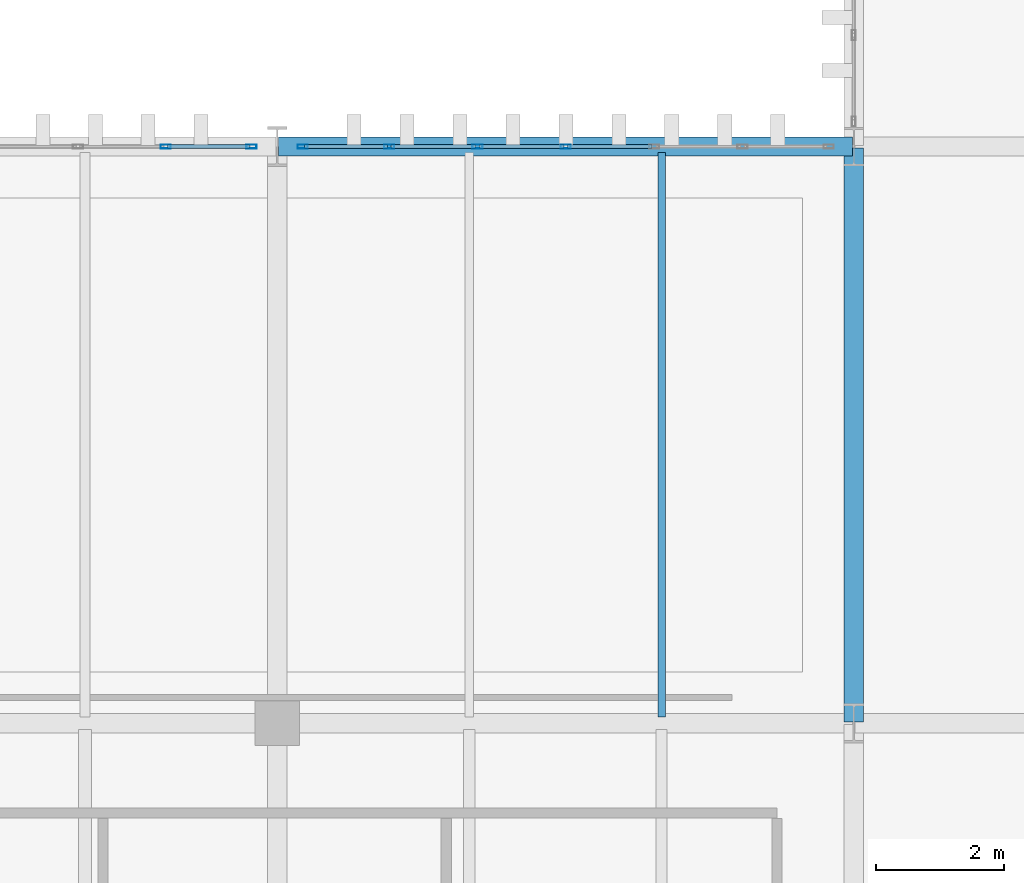
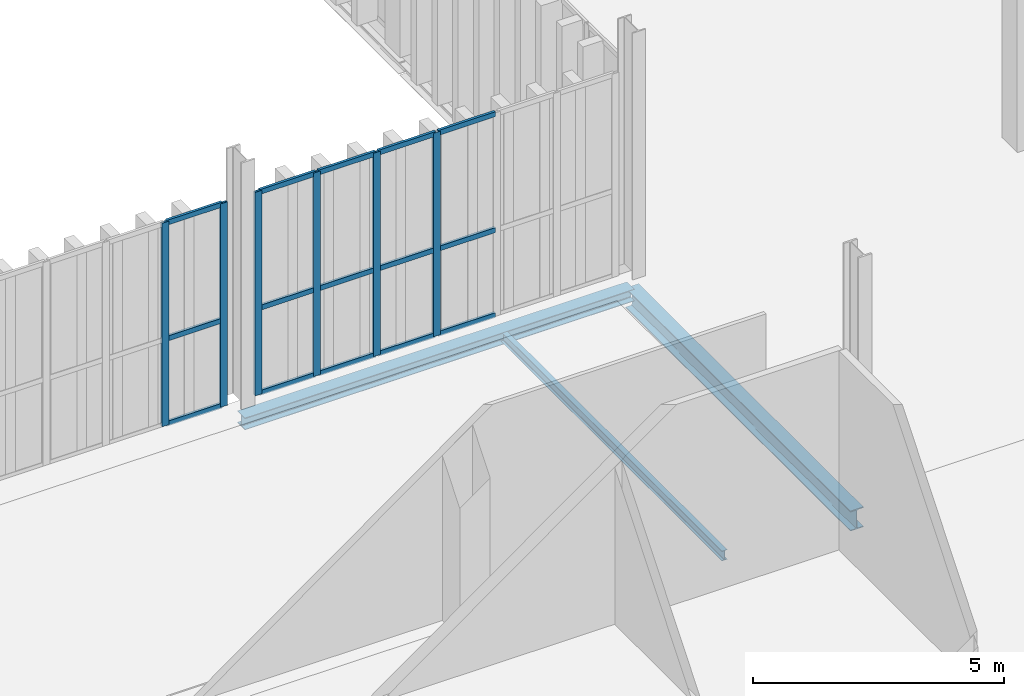
# One storey, part 98 of 211: 21 members, 3 beams, 2 elements without a shape of their own.
"""IFC4 building model written with IfcOpenShell, lengths in metres."""

from ifc_helpers import new_model, si_unit, direction, frame, origin, origin_2d, place, context, subcontext, project, spatial, hollow_rectangle, i_section, extrude, material, layer, layer_set, material_profile, profile_set, type_object, element, aggregate, save


model = new_model("IFC4")

# Units and contexts
model_context = context("Model", 3, precision=1e-05, world=origin(), true_north=direction((0.0, 1.0)))
body_context = subcontext(model_context, "Body", "Model", "MODEL_VIEW")
ifc_project = project(units=[si_unit("LENGTHUNIT", "METRE"), si_unit("AREAUNIT", "SQUARE_METRE"), si_unit("VOLUMEUNIT", "CUBIC_METRE"), si_unit("PLANEANGLEUNIT", "RADIAN"), si_unit("MASSUNIT", "GRAM", prefix="KILO")], contexts=[model_context])

# Site, building, storey
site_placement = place(None, origin())
site = spatial("IfcSite", under=ifc_project, at=site_placement, CompositionType="ELEMENT")
building_placement = place(site_placement, origin())
building = spatial("IfcBuilding", under=site, at=building_placement, Name="Barlavento Convention Centre", CompositionType="ELEMENT")
storey_placement = place(building_placement, frame((0.0, 0.0, 6.0)))
storey = spatial("IfcBuildingStorey", under=building, at=storey_placement, Name="L01", CompositionType="ELEMENT", Elevation=6.0)

# Curtain wall, members
ifc_material_1 = material(Name="Powder-coated aluminium and Low-E glass", Category="aluminium")
ifc_layer = layer(ifc_material_1, 0.195068359375)
ifc_layer_set = layer_set([ifc_layer], Name="ARC-CW-PATIO-A")
curtain_wall_type = type_object("IfcCurtainWallType", Name="ARC-CW-PATIO-A", PredefinedType="NOTDEFINED", material=ifc_layer_set)
curtain_wall_1_placement = place(storey_placement, origin())
curtain_wall_1 = element("IfcCurtainWall", 1, at=curtain_wall_1_placement, inside=storey, type_object=curtain_wall_type, Name="L01 unitised curtain wall CW11", PredefinedType="NOTDEFINED")
ifc_material_2 = material(Name="Powder-coated aluminium", Category="aluminium")
ifc_material_profile_1 = material_profile(ifc_material_2, hollow_rectangle(XDim=0.06005859375, YDim=0.159912109375, WallThickness=0.00390625, at=origin_2d()), Name="AL-MULL 60x160x4")
ifc_profile_set_1 = profile_set([ifc_material_profile_1], Name="Powder-coated aluminium")
member_type_1 = type_object("IfcMemberType", Name="ARC-CWM-60X160", PredefinedType="MULLION", material=ifc_profile_set_1)
member_1_placement = place(storey_placement, frame((160.260009765625, 63.0, 0.0), z_axis=(0.0, 0.0, 1.0), x_axis=(0.0, 1.0, 0.0)))
member_1 = element("IfcMember", 2, at=member_1_placement, type_object=member_type_1, Name="CW11 mullion 6", PredefinedType="MULLION", context=body_context, shape_type="SweptSolid", body=[
    extrude(hollow_rectangle(XDim=0.06005859375, YDim=0.159912109375, WallThickness=0.00390625, at=origin_2d()), origin(), (0.0, 0.0, 1.0), 4.949951171875),
])
member_2_placement = place(storey_placement, frame((161.60009765625, 63.0, 0.0), z_axis=(0.0, 0.0, 1.0), x_axis=(0.0, 1.0, 0.0)))
member_2 = element("IfcMember", 3, at=member_2_placement, type_object=member_type_1, Name="CW11 mullion 7", PredefinedType="MULLION", context=body_context, shape_type="SweptSolid", body=[
    extrude(hollow_rectangle(XDim=0.06005859375, YDim=0.159912109375, WallThickness=0.00390625, at=origin_2d()), origin(), (0.0, 0.0, 1.0), 4.949951171875),
])

curtain_wall_2_placement = place(storey_placement, origin())
curtain_wall_2 = element("IfcCurtainWall", 4, at=curtain_wall_2_placement, inside=storey, type_object=curtain_wall_type, Name="L01 unitised curtain wall CW11", PredefinedType="NOTDEFINED")
member_3_placement = place(storey_placement, frame((162.39990234375, 63.0, 0.0), z_axis=(0.0, 0.0, 1.0), x_axis=(0.0, 1.0, 0.0)))
member_3 = element("IfcMember", 5, at=member_3_placement, type_object=member_type_1, Name="CW11 mullion 1", PredefinedType="MULLION", context=body_context, shape_type="SweptSolid", body=[
    extrude(hollow_rectangle(XDim=0.06005859375, YDim=0.159912109375, WallThickness=0.00390625, at=origin_2d()), origin(), (0.0, 0.0, 1.0), 4.949951171875),
])
member_4_placement = place(storey_placement, frame((163.748291015625, 63.0, 0.0), z_axis=(0.0, 0.0, 1.0), x_axis=(0.0, 1.0, 0.0)))
member_4 = element("IfcMember", 6, at=member_4_placement, type_object=member_type_1, Name="CW11 mullion 2", PredefinedType="MULLION", context=body_context, shape_type="SweptSolid", body=[
    extrude(hollow_rectangle(XDim=0.06005859375, YDim=0.159912109375, WallThickness=0.00390625, at=origin_2d()), origin(), (0.0, 0.0, 1.0), 4.949951171875),
])
member_5_placement = place(storey_placement, frame((165.126708984375, 63.0, 0.0), z_axis=(0.0, 0.0, 1.0), x_axis=(0.0, 1.0, 0.0)))
member_5 = element("IfcMember", 7, at=member_5_placement, type_object=member_type_1, Name="CW11 mullion 3", PredefinedType="MULLION", context=body_context, shape_type="SweptSolid", body=[
    extrude(hollow_rectangle(XDim=0.06005859375, YDim=0.159912109375, WallThickness=0.00390625, at=origin_2d()), origin(), (0.0, 0.0, 1.0), 4.949951171875),
])
member_6_placement = place(storey_placement, frame((166.5048828125, 63.0, 0.0), z_axis=(0.0, 0.0, 1.0), x_axis=(0.0, 1.0, 0.0)))
member_6 = element("IfcMember", 8, at=member_6_placement, type_object=member_type_1, Name="CW11 mullion 4", PredefinedType="MULLION", context=body_context, shape_type="SweptSolid", body=[
    extrude(hollow_rectangle(XDim=0.06005859375, YDim=0.159912109375, WallThickness=0.00390625, at=origin_2d()), origin(), (0.0, 0.0, 1.0), 4.949951171875),
])

# Member
ifc_material_profile_2 = material_profile(ifc_material_2, hollow_rectangle(XDim=0.06005859375, YDim=0.1201171875, WallThickness=0.00390625, at=origin_2d()), Name="AL-TRAN 60x120x4")
ifc_profile_set_2 = profile_set([ifc_material_profile_2], Name="Powder-coated aluminium")
member_type_2 = type_object("IfcMemberType", Name="ARC-CWT-60X120", PredefinedType="USERDEFINED", material=ifc_profile_set_2)
member_7_placement = place(storey_placement, frame((160.2900390625, 63.0, 0.030029296875), z_axis=(1.0, 0.0, 0.0), x_axis=(0.0, 1.0, 0.0)))
member_7 = element("IfcMember", 9, at=member_7_placement, type_object=member_type_2, Name="CW11 transom 6.1", ObjectType="TRANSOM", PredefinedType="USERDEFINED", context=body_context, shape_type="SweptSolid", body=[
    extrude(hollow_rectangle(XDim=0.06005859375, YDim=0.1201171875, WallThickness=0.00390625, at=origin_2d()), origin(), (0.0, 0.0, 1.0), 1.280029296875),
])

member_8_placement = place(storey_placement, frame((160.2900390625, 63.0, 2.10009765625), z_axis=(1.0, 0.0, 0.0), x_axis=(0.0, 1.0, 0.0)))
member_8 = element("IfcMember", 10, at=member_8_placement, type_object=member_type_2, Name="CW11 transom 6.2", ObjectType="TRANSOM", PredefinedType="USERDEFINED", context=body_context, shape_type="SweptSolid", body=[
    extrude(hollow_rectangle(XDim=0.06005859375, YDim=0.1201171875, WallThickness=0.00390625, at=origin_2d()), origin(), (0.0, 0.0, 1.0), 1.280029296875),
])

member_9_placement = place(storey_placement, frame((160.2900390625, 63.0, 4.919921875), z_axis=(1.0, 0.0, 0.0), x_axis=(0.0, 1.0, 0.0)))
member_9 = element("IfcMember", 11, at=member_9_placement, type_object=member_type_2, Name="CW11 transom 6.3", ObjectType="TRANSOM", PredefinedType="USERDEFINED", context=body_context, shape_type="SweptSolid", body=[
    extrude(hollow_rectangle(XDim=0.06005859375, YDim=0.1201171875, WallThickness=0.00390625, at=origin_2d()), origin(), (0.0, 0.0, 1.0), 1.280029296875),
])

aggregate(curtain_wall_1, [member_1, member_2, member_7, member_8, member_9])

member_10_placement = place(storey_placement, frame((162.429931640625, 63.0, 0.030029296875), z_axis=(1.0, 0.0, 0.0), x_axis=(0.0, 1.0, 0.0)))
member_10 = element("IfcMember", 12, at=member_10_placement, type_object=member_type_2, Name="CW11 transom 1.1", ObjectType="TRANSOM", PredefinedType="USERDEFINED", context=body_context, shape_type="SweptSolid", body=[
    extrude(hollow_rectangle(XDim=0.06005859375, YDim=0.1201171875, WallThickness=0.00390625, at=origin_2d()), origin(), (0.0, 0.0, 1.0), 1.288330078125),
])

member_11_placement = place(storey_placement, frame((162.429931640625, 63.0, 2.10009765625), z_axis=(1.0, 0.0, 0.0), x_axis=(0.0, 1.0, 0.0)))
member_11 = element("IfcMember", 13, at=member_11_placement, type_object=member_type_2, Name="CW11 transom 1.2", ObjectType="TRANSOM", PredefinedType="USERDEFINED", context=body_context, shape_type="SweptSolid", body=[
    extrude(hollow_rectangle(XDim=0.06005859375, YDim=0.1201171875, WallThickness=0.00390625, at=origin_2d()), origin(), (0.0, 0.0, 1.0), 1.288330078125),
])

member_12_placement = place(storey_placement, frame((162.429931640625, 63.0, 4.919921875), z_axis=(1.0, 0.0, 0.0), x_axis=(0.0, 1.0, 0.0)))
member_12 = element("IfcMember", 14, at=member_12_placement, type_object=member_type_2, Name="CW11 transom 1.3", ObjectType="TRANSOM", PredefinedType="USERDEFINED", context=body_context, shape_type="SweptSolid", body=[
    extrude(hollow_rectangle(XDim=0.06005859375, YDim=0.1201171875, WallThickness=0.00390625, at=origin_2d()), origin(), (0.0, 0.0, 1.0), 1.288330078125),
])

member_13_placement = place(storey_placement, frame((163.7783203125, 63.0, 0.030029296875), z_axis=(1.0, 0.0, 0.0), x_axis=(0.0, 1.0, 0.0)))
member_13 = element("IfcMember", 15, at=member_13_placement, type_object=member_type_2, Name="CW11 transom 2.1", ObjectType="TRANSOM", PredefinedType="USERDEFINED", context=body_context, shape_type="SweptSolid", body=[
    extrude(hollow_rectangle(XDim=0.06005859375, YDim=0.1201171875, WallThickness=0.00390625, at=origin_2d()), origin(), (0.0, 0.0, 1.0), 1.318359375),
])

member_14_placement = place(storey_placement, frame((163.7783203125, 63.0, 2.10009765625), z_axis=(1.0, 0.0, 0.0), x_axis=(0.0, 1.0, 0.0)))
member_14 = element("IfcMember", 16, at=member_14_placement, type_object=member_type_2, Name="CW11 transom 2.2", ObjectType="TRANSOM", PredefinedType="USERDEFINED", context=body_context, shape_type="SweptSolid", body=[
    extrude(hollow_rectangle(XDim=0.06005859375, YDim=0.1201171875, WallThickness=0.00390625, at=origin_2d()), origin(), (0.0, 0.0, 1.0), 1.318359375),
])

member_15_placement = place(storey_placement, frame((163.7783203125, 63.0, 4.919921875), z_axis=(1.0, 0.0, 0.0), x_axis=(0.0, 1.0, 0.0)))
member_15 = element("IfcMember", 17, at=member_15_placement, type_object=member_type_2, Name="CW11 transom 2.3", ObjectType="TRANSOM", PredefinedType="USERDEFINED", context=body_context, shape_type="SweptSolid", body=[
    extrude(hollow_rectangle(XDim=0.06005859375, YDim=0.1201171875, WallThickness=0.00390625, at=origin_2d()), origin(), (0.0, 0.0, 1.0), 1.318359375),
])

member_16_placement = place(storey_placement, frame((165.15673828125, 63.0, 0.030029296875), z_axis=(1.0, 0.0, 0.0), x_axis=(0.0, 1.0, 0.0)))
member_16 = element("IfcMember", 18, at=member_16_placement, type_object=member_type_2, Name="CW11 transom 3.1", ObjectType="TRANSOM", PredefinedType="USERDEFINED", context=body_context, shape_type="SweptSolid", body=[
    extrude(hollow_rectangle(XDim=0.06005859375, YDim=0.1201171875, WallThickness=0.00390625, at=origin_2d()), origin(), (0.0, 0.0, 1.0), 1.318359375),
])

member_17_placement = place(storey_placement, frame((165.15673828125, 63.0, 2.10009765625), z_axis=(1.0, 0.0, 0.0), x_axis=(0.0, 1.0, 0.0)))
member_17 = element("IfcMember", 19, at=member_17_placement, type_object=member_type_2, Name="CW11 transom 3.2", ObjectType="TRANSOM", PredefinedType="USERDEFINED", context=body_context, shape_type="SweptSolid", body=[
    extrude(hollow_rectangle(XDim=0.06005859375, YDim=0.1201171875, WallThickness=0.00390625, at=origin_2d()), origin(), (0.0, 0.0, 1.0), 1.318359375),
])

member_18_placement = place(storey_placement, frame((165.15673828125, 63.0, 4.919921875), z_axis=(1.0, 0.0, 0.0), x_axis=(0.0, 1.0, 0.0)))
member_18 = element("IfcMember", 20, at=member_18_placement, type_object=member_type_2, Name="CW11 transom 3.3", ObjectType="TRANSOM", PredefinedType="USERDEFINED", context=body_context, shape_type="SweptSolid", body=[
    extrude(hollow_rectangle(XDim=0.06005859375, YDim=0.1201171875, WallThickness=0.00390625, at=origin_2d()), origin(), (0.0, 0.0, 1.0), 1.318359375),
])

member_19_placement = place(storey_placement, frame((166.534912109375, 63.0, 0.030029296875), z_axis=(1.0, 0.0, 0.0), x_axis=(0.0, 1.0, 0.0)))
member_19 = element("IfcMember", 21, at=member_19_placement, type_object=member_type_2, Name="CW11 transom 4.1", ObjectType="TRANSOM", PredefinedType="USERDEFINED", context=body_context, shape_type="SweptSolid", body=[
    extrude(hollow_rectangle(XDim=0.06005859375, YDim=0.1201171875, WallThickness=0.00390625, at=origin_2d()), origin(), (0.0, 0.0, 1.0), 1.318359375),
])

member_20_placement = place(storey_placement, frame((166.534912109375, 63.0, 2.10009765625), z_axis=(1.0, 0.0, 0.0), x_axis=(0.0, 1.0, 0.0)))
member_20 = element("IfcMember", 22, at=member_20_placement, type_object=member_type_2, Name="CW11 transom 4.2", ObjectType="TRANSOM", PredefinedType="USERDEFINED", context=body_context, shape_type="SweptSolid", body=[
    extrude(hollow_rectangle(XDim=0.06005859375, YDim=0.1201171875, WallThickness=0.00390625, at=origin_2d()), origin(), (0.0, 0.0, 1.0), 1.318359375),
])

member_21_placement = place(storey_placement, frame((166.534912109375, 63.0, 4.919921875), z_axis=(1.0, 0.0, 0.0), x_axis=(0.0, 1.0, 0.0)))
member_21 = element("IfcMember", 23, at=member_21_placement, type_object=member_type_2, Name="CW11 transom 4.3", ObjectType="TRANSOM", PredefinedType="USERDEFINED", context=body_context, shape_type="SweptSolid", body=[
    extrude(hollow_rectangle(XDim=0.06005859375, YDim=0.1201171875, WallThickness=0.00390625, at=origin_2d()), origin(), (0.0, 0.0, 1.0), 1.318359375),
])

aggregate(curtain_wall_2, [member_3, member_4, member_5, member_6, member_10, member_11, member_12, member_13, member_14, member_15, member_16, member_17, member_18, member_19, member_20, member_21])

# Beams
ifc_material_3 = material(Name="Steel S355", Category="steel")
ifc_material_profile_3 = material_profile(ifc_material_3, i_section(OverallWidth=0.1201171875, OverallDepth=0.239990234375, WebThickness=0.006103515625, FlangeThickness=0.009765625, FilletRadius=0.014892578125, at=origin_2d()), Name="IPE 240")
ifc_profile_set_3 = profile_set([ifc_material_profile_3], Name="Steel S355")
beam_type_1 = type_object("IfcBeamType", Name="STR-BM-JST-IPE240", PredefinedType="JOIST", material=ifc_profile_set_3)
beam_1_placement = place(storey_placement, frame((168.0, 54.094970703125, -0.47998046875), z_axis=(0.0, 1.0, 0.0), x_axis=(-1.0, 0.0, 0.0)))
element("IfcBeam", 24, at=beam_1_placement, inside=storey, type_object=beam_type_1, Name="L01 composite floor joist SJ09", PredefinedType="JOIST", context=body_context, shape_type="SweptSolid", body=[
    extrude(i_section(OverallWidth=0.1201171875, OverallDepth=0.239990234375, WebThickness=0.006103515625, FlangeThickness=0.009765625, FilletRadius=0.014892578125, at=origin_2d()), origin(), (0.0, 0.0, 1.0), 8.81005859375),
])
ifc_material_profile_4 = material_profile(ifc_material_3, i_section(OverallWidth=0.300048828125, OverallDepth=0.489990234375, WebThickness=0.011962890625, FlangeThickness=0.02294921875, FilletRadius=0.027099609375, at=origin_2d()), Name="HEA 500")
ifc_profile_set_4 = profile_set([ifc_material_profile_4], Name="Steel S355")
beam_type_2 = type_object("IfcBeamType", Name="STR-BM-PRI-HEA500", PredefinedType="BEAM", material=ifc_profile_set_4)
beam_2_placement = place(storey_placement, frame((171.0, 54.02001953125, -0.60498046875), z_axis=(0.0, 1.0, 0.0), x_axis=(-1.0, 0.0, 0.0)))
element("IfcBeam", 25, at=beam_2_placement, inside=storey, type_object=beam_type_2, Name="L01 grid girder BG20", PredefinedType="BEAM", context=body_context, shape_type="SweptSolid", body=[
    extrude(i_section(OverallWidth=0.300048828125, OverallDepth=0.489990234375, WebThickness=0.011962890625, FlangeThickness=0.02294921875, FilletRadius=0.027099609375, at=origin_2d()), origin(), (0.0, 0.0, 1.0), 8.9599609375),
])
ifc_material_profile_5 = material_profile(ifc_material_3, i_section(OverallWidth=0.300048828125, OverallDepth=0.2900390625, WebThickness=0.008544921875, FlangeThickness=0.013916015625, FilletRadius=0.027099609375, at=origin_2d()), Name="HEA 300")
ifc_profile_set_5 = profile_set([ifc_material_profile_5], Name="Steel S355")
beam_type_3 = type_object("IfcBeamType", Name="STR-BM-SPN-HEA300", PredefinedType="SPANDREL", material=ifc_profile_set_5)
beam_3_placement = place(storey_placement, frame((162.02001953125, 63.0, -0.5048828125), z_axis=(1.0, 0.0, 0.0), x_axis=(0.0, 1.0, 0.0)))
element("IfcBeam", 26, at=beam_3_placement, inside=storey, type_object=beam_type_3, Name="L01 primary girder SP02", PredefinedType="SPANDREL", context=body_context, shape_type="SweptSolid", body=[
    extrude(i_section(OverallWidth=0.300048828125, OverallDepth=0.2900390625, WebThickness=0.008544921875, FlangeThickness=0.013916015625, FilletRadius=0.027099609375, at=origin_2d()), origin(), (0.0, 0.0, 1.0), 8.9599609375),
])

save(model, "model.ifc")
